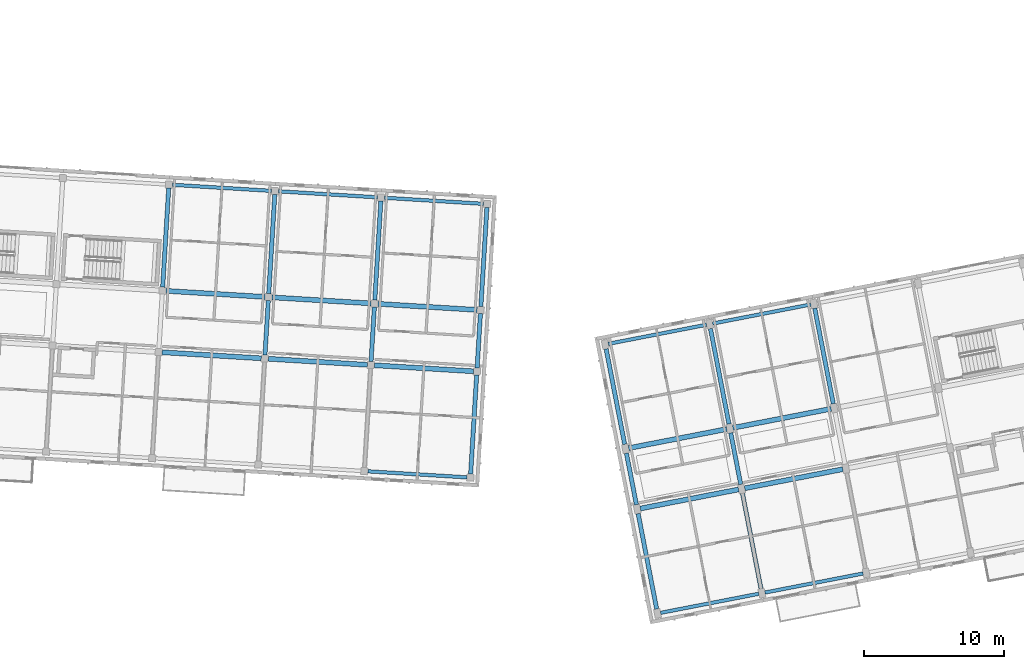
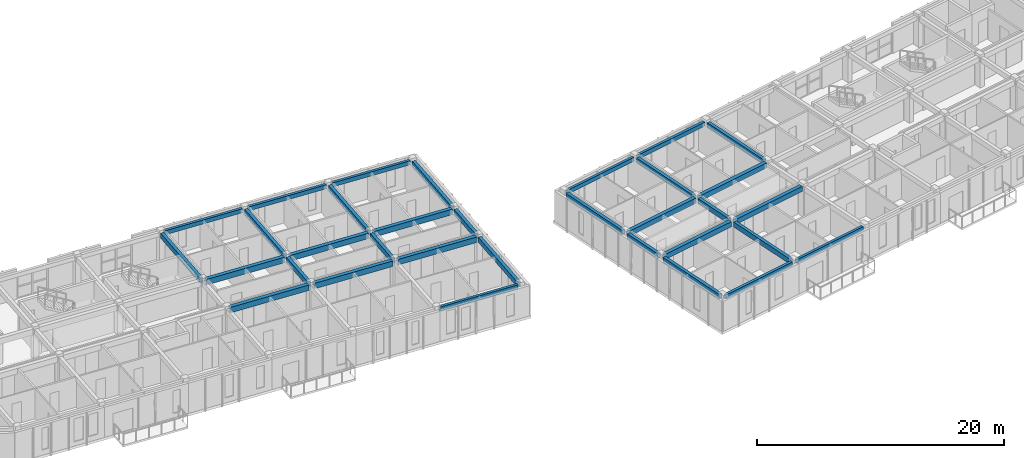
# One storey, part 7 of 68: 33 beams.
"""IFC4 building model written with IfcOpenShell, lengths in metres."""

from ifc_helpers import new_model, si_unit, direction, frame, origin, origin_2d, place, context, subcontext, project, spatial, rectangle, extrude, material, material_profile, profile_set, type_object, element, save


model = new_model("IFC4")

# Units and contexts
model_context = context("Model", 3, precision=1e-05, world=origin(), true_north=direction((0.0, 1.0)))
body_context = subcontext(model_context, "Body", "Model", "MODEL_VIEW")
ifc_project = project(units=[si_unit("LENGTHUNIT", "METRE"), si_unit("AREAUNIT", "SQUARE_METRE"), si_unit("VOLUMEUNIT", "CUBIC_METRE"), si_unit("PLANEANGLEUNIT", "RADIAN"), si_unit("MASSUNIT", "GRAM", prefix="KILO")], contexts=[model_context])

# Site, building, storey
site_placement = place(None, origin())
site = spatial("IfcSite", under=ifc_project, at=site_placement, CompositionType="ELEMENT")
building_placement = place(site_placement, origin())
building = spatial("IfcBuilding", under=site, at=building_placement, Name="Kestramere Prow Commons", CompositionType="ELEMENT")
storey_placement = place(building_placement, frame((0.0, 0.0, 18.14990234375)))
storey = spatial("IfcBuildingStorey", under=building, at=storey_placement, Name="L05", CompositionType="ELEMENT", Elevation=18.14990234375)

# Beams
ifc_material = material(Name="Precast concrete C40/50", Category="concrete")
ifc_material_profile_1 = material_profile(ifc_material, rectangle(XDim=0.35009765625, YDim=0.550048828125, at=origin_2d()), Name="PC-BM 350x550")
ifc_profile_set_1 = profile_set([ifc_material_profile_1], Name="Precast concrete C40/50")
beam_type_1 = type_object("IfcBeamType", Name="BM-C1 PC-BM 350x550", PredefinedType="BEAM", material=ifc_profile_set_1)
for number, where, z_axis, x_axis, name in (
    (1, (82.970947265625, 52.6787109375, 2.72509765625), (0.998133472633, -0.061070212127, 0.0), (0.061070212127, 0.998133472633, 0.0), "Block C L05 Longitudinal Beam 2-4"),
    (2, (90.556884765625, 52.214599609375, 2.72509765625), (0.998135568114, -0.061035953884, 0.0), (0.061035953884, 0.998135568114, 0.0), "Block C L05 Longitudinal Beam 2-5"),
):
    element("IfcBeam", number, at=place(storey_placement, frame(where, z_axis=z_axis, x_axis=x_axis)), inside=storey, type_object=beam_type_1, Name=name, PredefinedType="BEAM", context=body_context, shape_type="SweptSolid", body=[
        extrude(rectangle(XDim=0.35009765625, YDim=0.550048828125, at=origin_2d()), origin(), (0.0, 0.0, 1.0), 7.099853515625),
    ])
for number, where, z_axis, x_axis, name in (
    (3, (98.142578125, 51.750732421875, 2.72509765625), (0.99813569621, -0.061033859059, 0.0), (0.061033859059, 0.99813569621, 0.0), "Block C L05 Longitudinal Beam 2-6"),
    (4, (83.239501953125, 57.070556640625, 2.72509765625), (0.998133600873, -0.061068116134, 0.0), (0.061068116134, 0.998133600873, 0.0), "Block C L05 Longitudinal Beam 3-4"),
):
    element("IfcBeam", number, at=place(storey_placement, frame(where, z_axis=z_axis, x_axis=x_axis)), inside=storey, type_object=beam_type_1, Name=name, PredefinedType="BEAM", context=body_context, shape_type="SweptSolid", body=[
        extrude(rectangle(XDim=0.35009765625, YDim=0.550048828125, at=origin_2d()), origin(), (0.0, 0.0, 1.0), 7.10009765625),
    ])
beam_1_placement = place(storey_placement, frame((90.825439453125, 56.6064453125, 2.72509765625), z_axis=(0.998135568114, -0.061035953884, 0.0), x_axis=(0.061035953884, 0.998135568114, 0.0)))
element("IfcBeam", 5, at=beam_1_placement, inside=storey, type_object=beam_type_1, Name="Block C L05 Longitudinal Beam 3-5", PredefinedType="BEAM", context=body_context, shape_type="SweptSolid", body=[
    extrude(rectangle(XDim=0.35009765625, YDim=0.550048828125, at=origin_2d()), origin(), (0.0, 0.0, 1.0), 7.099853515625),
])
beam_2_placement = place(storey_placement, frame((98.4111328125, 56.142578125, 2.72509765625), z_axis=(0.998133600873, -0.061068116134, 0.0), x_axis=(0.061068116134, 0.998133600873, 0.0)))
element("IfcBeam", 6, at=beam_2_placement, inside=storey, type_object=beam_type_1, Name="Block C L05 Longitudinal Beam 3-6", PredefinedType="BEAM", context=body_context, shape_type="SweptSolid", body=[
    extrude(rectangle(XDim=0.35009765625, YDim=0.550048828125, at=origin_2d()), origin(), (0.0, 0.0, 1.0), 7.10009765625),
])
ifc_material_profile_2 = material_profile(ifc_material, rectangle(XDim=0.35009765625, YDim=0.5, at=origin_2d()), Name="PC-BM 350x500")
ifc_profile_set_2 = profile_set([ifc_material_profile_2], Name="Precast concrete C40/50")
beam_type_2 = type_object("IfcBeamType", Name="BM-D1 PC-BM 350x500", PredefinedType="BEAM", material=ifc_profile_set_2)
beam_3_placement = place(storey_placement, frame((117.170654296875, 41.50341796875, 2.75), z_axis=(0.981628715169, 0.190801115182, 0.0), x_axis=(-0.190801115182, 0.981628715169, 0.0)))
element("IfcBeam", 7, at=beam_3_placement, inside=storey, type_object=beam_type_2, Name="Block D L05 Longitudinal Beam 2-1", PredefinedType="BEAM", context=body_context, shape_type="SweptSolid", body=[
    extrude(rectangle(XDim=0.35009765625, YDim=0.5, at=origin_2d()), origin(), (0.0, 0.0, 1.0), 7.150146484375),
])
beam_4_placement = place(storey_placement, frame((124.631103515625, 42.953369140625, 2.75), z_axis=(0.981627472063, 0.190807510571, 0.0), x_axis=(-0.190807510571, 0.981627472063, 0.0)))
element("IfcBeam", 8, at=beam_4_placement, inside=storey, type_object=beam_type_2, Name="Block D L05 Longitudinal Beam 2-2", PredefinedType="BEAM", context=body_context, shape_type="SweptSolid", body=[
    extrude(rectangle(XDim=0.35009765625, YDim=0.5, at=origin_2d()), origin(), (0.0, 0.0, 1.0), 7.14990234375),
])
beam_5_placement = place(storey_placement, frame((116.3310546875, 45.822509765625, 2.75), z_axis=(0.981628715169, 0.190801115182, 0.0), x_axis=(-0.190801115182, 0.981628715169, 0.0)))
element("IfcBeam", 9, at=beam_5_placement, inside=storey, type_object=beam_type_2, Name="Block D L05 Longitudinal Beam 3-1", PredefinedType="BEAM", context=body_context, shape_type="SweptSolid", body=[
    extrude(rectangle(XDim=0.35009765625, YDim=0.5, at=origin_2d()), origin(), (0.0, 0.0, 1.0), 7.150146484375),
])
beam_6_placement = place(storey_placement, frame((123.79150390625, 47.272705078125, 2.75), z_axis=(0.981627472063, 0.190807510571, 0.0), x_axis=(-0.190807510571, 0.981627472063, 0.0)))
element("IfcBeam", 10, at=beam_6_placement, inside=storey, type_object=beam_type_2, Name="Block D L05 Longitudinal Beam 3-2", PredefinedType="BEAM", context=body_context, shape_type="SweptSolid", body=[
    extrude(rectangle(XDim=0.35009765625, YDim=0.5, at=origin_2d()), origin(), (0.0, 0.0, 1.0), 7.14990234375),
])
ifc_material_profile_3 = material_profile(ifc_material, rectangle(XDim=0.300048828125, YDim=0.5, at=origin_2d()), Name="PC-BM 300x500")
ifc_profile_set_3 = profile_set([ifc_material_profile_3], Name="Precast concrete C40/50")
beam_type_3 = type_object("IfcBeamType", Name="BM-TIE-01 PC-BM 300x500", PredefinedType="BEAM", material=ifc_profile_set_3)
beam_7_placement = place(storey_placement, frame((83.00537109375, 57.335205078125, 2.75), z_axis=(0.061033859059, 0.99813569621, 0.0), x_axis=(-0.99813569621, 0.061033859059, 0.0)))
element("IfcBeam", 11, at=beam_7_placement, inside=storey, type_object=beam_type_3, Name="Block C L05 Transverse Beam 4-3", PredefinedType="BEAM", context=body_context, shape_type="SweptSolid", body=[
    extrude(rectangle(XDim=0.300048828125, YDim=0.5, at=origin_2d()), origin(), (0.0, 0.0, 1.0), 7.10009765625),
])
beam_8_placement = place(storey_placement, frame((90.322509765625, 52.4794921875, 2.75), z_axis=(0.061033697925, 0.998135706063, 0.0), x_axis=(-0.998135706063, 0.061033697925, 0.0)))
element("IfcBeam", 12, at=beam_8_placement, inside=storey, type_object=beam_type_3, Name="Block C L05 Transverse Beam 5-2", PredefinedType="BEAM", context=body_context, shape_type="SweptSolid", body=[
    extrude(rectangle(XDim=0.300048828125, YDim=0.5, at=origin_2d()), origin(), (0.0, 0.0, 1.0), 3.900146484375),
])
beam_9_placement = place(storey_placement, frame((90.591064453125, 56.871337890625, 2.75), z_axis=(0.061070212127, 0.998133472633, 0.0), x_axis=(-0.998133472633, 0.061070212127, 0.0)))
element("IfcBeam", 13, at=beam_9_placement, inside=storey, type_object=beam_type_3, Name="Block C L05 Transverse Beam 5-3", PredefinedType="BEAM", context=body_context, shape_type="SweptSolid", body=[
    extrude(rectangle(XDim=0.300048828125, YDim=0.5, at=origin_2d()), origin(), (0.0, 0.0, 1.0), 7.099853515625),
])
beam_10_placement = place(storey_placement, frame((97.908447265625, 52.015625, 2.75), z_axis=(0.061037511668, 0.998135472854, 0.0), x_axis=(-0.998135472854, 0.061037511668, 0.0)))
element("IfcBeam", 14, at=beam_10_placement, inside=storey, type_object=beam_type_3, Name="Block C L05 Transverse Beam 6-2", PredefinedType="BEAM", context=body_context, shape_type="SweptSolid", body=[
    extrude(rectangle(XDim=0.300048828125, YDim=0.5, at=origin_2d()), origin(), (0.0, 0.0, 1.0), 3.89990234375),
])
beam_11_placement = place(storey_placement, frame((98.177001953125, 56.4072265625, 2.75), z_axis=(0.061033859059, 0.99813569621, 0.0), x_axis=(-0.99813569621, 0.061033859059, 0.0)))
element("IfcBeam", 15, at=beam_11_placement, inside=storey, type_object=beam_type_3, Name="Block C L05 Transverse Beam 6-3", PredefinedType="BEAM", context=body_context, shape_type="SweptSolid", body=[
    extrude(rectangle(XDim=0.300048828125, YDim=0.5, at=origin_2d()), origin(), (0.0, 0.0, 1.0), 7.10009765625),
])
beam_12_placement = place(storey_placement, frame((105.0302734375, 43.9658203125, 2.75), z_axis=(0.061035953884, 0.998135568114, 0.0), x_axis=(-0.998135568114, 0.061035953884, 0.0)))
element("IfcBeam", 16, at=beam_12_placement, inside=storey, type_object=beam_type_3, Name="Block C L05 Transverse Beam 7-1", PredefinedType="BEAM", context=body_context, shape_type="SweptSolid", body=[
    extrude(rectangle(XDim=0.300048828125, YDim=0.5, at=origin_2d()), origin(), (0.0, 0.0, 1.0), 7.099853515625),
])
beam_13_placement = place(storey_placement, frame((105.494140625, 51.551513671875, 2.75), z_axis=(0.061033697925, 0.998135706063, 0.0), x_axis=(-0.998135706063, 0.061033697925, 0.0)))
element("IfcBeam", 17, at=beam_13_placement, inside=storey, type_object=beam_type_3, Name="Block C L05 Transverse Beam 7-2", PredefinedType="BEAM", context=body_context, shape_type="SweptSolid", body=[
    extrude(rectangle(XDim=0.300048828125, YDim=0.5, at=origin_2d()), origin(), (0.0, 0.0, 1.0), 3.900146484375),
])
beam_14_placement = place(storey_placement, frame((105.7626953125, 55.943359375, 2.75), z_axis=(0.061070212127, 0.998133472633, 0.0), x_axis=(-0.998133472633, 0.061070212127, 0.0)))
element("IfcBeam", 18, at=beam_14_placement, inside=storey, type_object=beam_type_3, Name="Block C L05 Transverse Beam 7-3", PredefinedType="BEAM", context=body_context, shape_type="SweptSolid", body=[
    extrude(rectangle(XDim=0.300048828125, YDim=0.5, at=origin_2d()), origin(), (0.0, 0.0, 1.0), 7.099853515625),
])
beam_15_placement = place(storey_placement, frame((118.337890625, 34.319091796875, 2.75), z_axis=(-0.190783155939, 0.981632205773, 0.0), x_axis=(-0.981632205773, -0.190783155939, 0.0)))
element("IfcBeam", 19, at=beam_15_placement, inside=storey, type_object=beam_type_3, Name="Block D L05 Transverse Beam 1-1", PredefinedType="BEAM", context=body_context, shape_type="SweptSolid", body=[
    extrude(rectangle(XDim=0.300048828125, YDim=0.5, at=origin_2d()), origin(), (0.0, 0.0, 1.0), 6.949951171875),
])
beam_16_placement = place(storey_placement, frame((116.887939453125, 41.779296875, 2.75), z_axis=(-0.190817382683, 0.981625553083, 0.0), x_axis=(-0.981625553083, -0.190817382683, 0.0)))
element("IfcBeam", 20, at=beam_16_placement, inside=storey, type_object=beam_type_3, Name="Block D L05 Transverse Beam 1-2", PredefinedType="BEAM", context=body_context, shape_type="SweptSolid", body=[
    extrude(rectangle(XDim=0.300048828125, YDim=0.5, at=origin_2d()), origin(), (0.0, 0.0, 1.0), 3.75),
])
for number, where, z_axis, x_axis, name in (
    (21, (116.04833984375, 46.0986328125, 2.75), (-0.190817005532, 0.981625626397, 0.0), (-0.981625626397, -0.190817005532, 0.0), "Block D L05 Transverse Beam 1-3"),
    (22, (125.79833984375, 35.769287109375, 2.75), (-0.190817005532, 0.981625626397, 0.0), (-0.981625626397, -0.190817005532, 0.0), "Block D L05 Transverse Beam 2-1"),
):
    element("IfcBeam", number, at=place(storey_placement, frame(where, z_axis=z_axis, x_axis=x_axis)), inside=storey, type_object=beam_type_3, Name=name, PredefinedType="BEAM", context=body_context, shape_type="SweptSolid", body=[
        extrude(rectangle(XDim=0.300048828125, YDim=0.5, at=origin_2d()), origin(), (0.0, 0.0, 1.0), 6.949951171875),
    ])
beam_17_placement = place(storey_placement, frame((124.34814453125, 43.2294921875, 2.75), z_axis=(-0.190817382683, 0.981625553083, 0.0), x_axis=(-0.981625553083, -0.190817382683, 0.0)))
element("IfcBeam", 23, at=beam_17_placement, inside=storey, type_object=beam_type_3, Name="Block D L05 Transverse Beam 2-2", PredefinedType="BEAM", context=body_context, shape_type="SweptSolid", body=[
    extrude(rectangle(XDim=0.300048828125, YDim=0.5, at=origin_2d()), origin(), (0.0, 0.0, 1.0), 3.75),
])
beam_18_placement = place(storey_placement, frame((123.508544921875, 47.548583984375, 2.75), z_axis=(-0.190776577325, 0.981633484323, 0.0), x_axis=(-0.981633484323, -0.190776577325, 0.0)))
element("IfcBeam", 24, at=beam_18_placement, inside=storey, type_object=beam_type_3, Name="Block D L05 Transverse Beam 2-3", PredefinedType="BEAM", context=body_context, shape_type="SweptSolid", body=[
    extrude(rectangle(XDim=0.300048828125, YDim=0.5, at=origin_2d()), origin(), (0.0, 0.0, 1.0), 6.9501953125),
])
beam_19_placement = place(storey_placement, frame((130.968994140625, 48.998779296875, 2.75), z_axis=(-0.190817005532, 0.981625626397, 0.0), x_axis=(-0.981625626397, -0.190817005532, 0.0)))
element("IfcBeam", 25, at=beam_19_placement, inside=storey, type_object=beam_type_3, Name="Block D L05 Transverse Beam 3-3", PredefinedType="BEAM", context=body_context, shape_type="SweptSolid", body=[
    extrude(rectangle(XDim=0.300048828125, YDim=0.5, at=origin_2d()), origin(), (0.0, 0.0, 1.0), 6.949951171875),
])
ifc_material_profile_4 = material_profile(ifc_material, rectangle(XDim=0.25, YDim=0.39990234375, at=origin_2d()), Name="PC-SP 250x400")
ifc_profile_set_4 = profile_set([ifc_material_profile_4], Name="Precast concrete C40/50")
beam_type_4 = type_object("IfcBeamType", Name="SP-EXT-01 PC-SP 250x400", PredefinedType="SPANDREL", material=ifc_profile_set_4)
for number, where, z_axis, x_axis, name in (
    (26, (97.6787109375, 44.164794921875, 2.800048828125), (0.998135568114, -0.061035953884, 0.0), (0.061035953884, 0.998135568114, 0.0), "Block C L05 Longitudinal Beam 1-6"),
    (27, (83.70361328125, 64.65625, 2.800048828125), (0.998135568114, -0.061035953884, 0.0), (0.061035953884, 0.998135568114, 0.0), "Block C L05 Longitudinal Beam 4-4"),
):
    element("IfcBeam", number, at=place(storey_placement, frame(where, z_axis=z_axis, x_axis=x_axis)), inside=storey, type_object=beam_type_4, Name=name, PredefinedType="SPANDREL", context=body_context, shape_type="SweptSolid", body=[
        extrude(rectangle(XDim=0.25, YDim=0.39990234375, at=origin_2d()), origin(), (0.0, 0.0, 1.0), 7.099853515625),
    ])
beam_20_placement = place(storey_placement, frame((91.289306640625, 64.1923828125, 2.800048828125), z_axis=(0.998133600873, -0.061068116134, 0.0), x_axis=(0.061068116134, 0.998133600873, 0.0)))
element("IfcBeam", 28, at=beam_20_placement, inside=storey, type_object=beam_type_4, Name="Block C L05 Longitudinal Beam 4-5", PredefinedType="SPANDREL", context=body_context, shape_type="SweptSolid", body=[
    extrude(rectangle(XDim=0.25, YDim=0.39990234375, at=origin_2d()), origin(), (0.0, 0.0, 1.0), 7.10009765625),
])
beam_21_placement = place(storey_placement, frame((98.875244140625, 63.728271484375, 2.800048828125), z_axis=(0.998135568114, -0.061035953884, 0.0), x_axis=(0.061035953884, 0.998135568114, 0.0)))
element("IfcBeam", 29, at=beam_21_placement, inside=storey, type_object=beam_type_4, Name="Block C L05 Longitudinal Beam 4-6", PredefinedType="SPANDREL", context=body_context, shape_type="SweptSolid", body=[
    extrude(rectangle(XDim=0.25, YDim=0.39990234375, at=origin_2d()), origin(), (0.0, 0.0, 1.0), 7.099853515625),
])
for number, where, z_axis, x_axis, name in (
    (30, (118.620849609375, 34.04296875, 2.800048828125), (0.981627472063, 0.190807510571, 0.0), (-0.190807510571, 0.981627472063, 0.0), "Block D L05 Longitudinal Beam 1-1"),
    (31, (126.081298828125, 35.4931640625, 2.800048828125), (0.981627472063, 0.190807510571, 0.0), (-0.190807510571, 0.981627472063, 0.0), "Block D L05 Longitudinal Beam 1-2"),
    (32, (114.881103515625, 53.28271484375, 2.800048828125), (0.981621075955, 0.19084041302, 0.0), (-0.19084041302, 0.981621075955, 0.0), "Block D L05 Longitudinal Beam 4-1"),
):
    element("IfcBeam", number, at=place(storey_placement, frame(where, z_axis=z_axis, x_axis=x_axis)), inside=storey, type_object=beam_type_4, Name=name, PredefinedType="SPANDREL", context=body_context, shape_type="SweptSolid", body=[
        extrude(rectangle(XDim=0.25, YDim=0.39990234375, at=origin_2d()), origin(), (0.0, 0.0, 1.0), 7.14990234375),
    ])
beam_22_placement = place(storey_placement, frame((122.34130859375, 54.73291015625, 2.800048828125), z_axis=(0.981628715169, 0.190801115182, 0.0), x_axis=(-0.190801115182, 0.981628715169, 0.0)))
element("IfcBeam", 33, at=beam_22_placement, inside=storey, type_object=beam_type_4, Name="Block D L05 Longitudinal Beam 4-2", PredefinedType="SPANDREL", context=body_context, shape_type="SweptSolid", body=[
    extrude(rectangle(XDim=0.25, YDim=0.39990234375, at=origin_2d()), origin(), (0.0, 0.0, 1.0), 7.150146484375),
])

save(model, "model.ifc")
